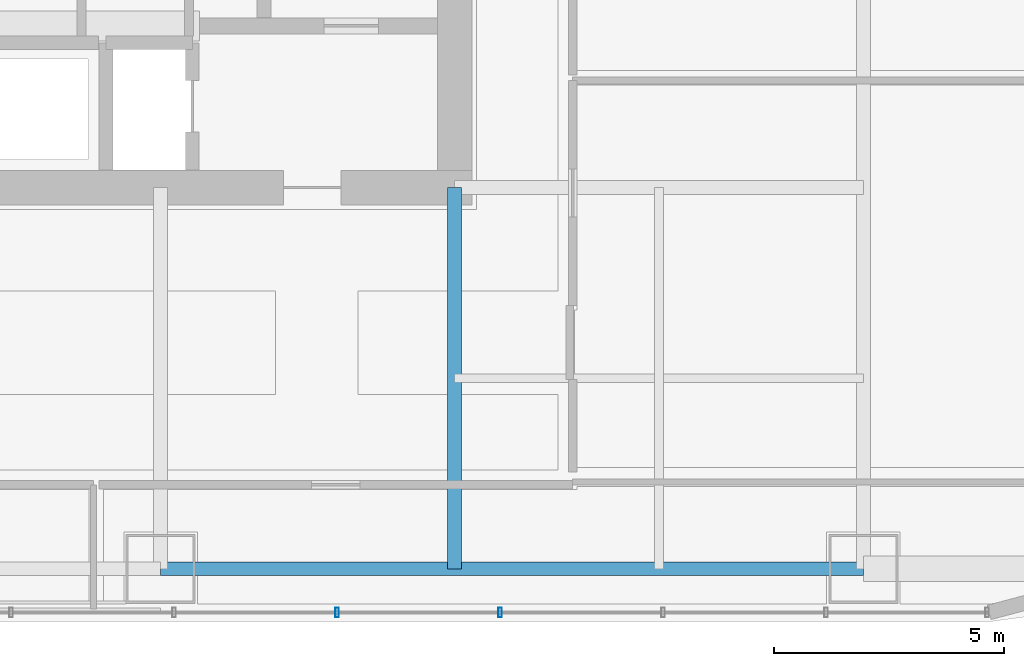
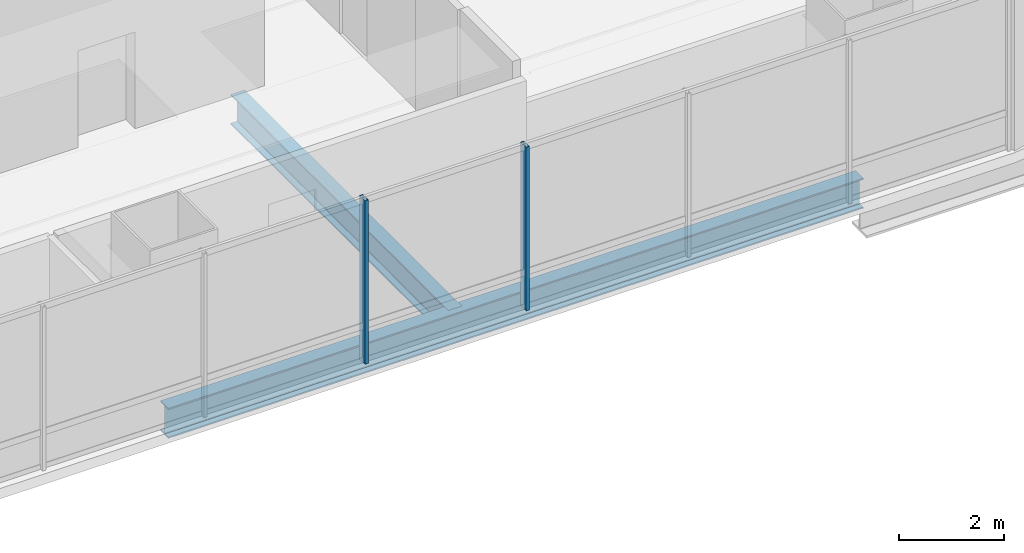
# One storey, part 7 of 35: 2 beams, 2 members, 1 element without a shape of its own.
"""IFC4 building model written with IfcOpenShell, lengths in metres."""

import ifcopenshell
import ifcopenshell.guid

model = None  # the IFC model being written
_history = None  # IfcOwnerHistory: only IFC2X3 demands one
_inside = {}  # id of a spatial element -> (the spatial element, [elements in it])
_under = {}  # id of a project, library or spatial element -> (it, [spatial elements below it])
_declared = {}  # id of a project -> (the project, [libraries it declares])
_typed = {}  # id of a type object -> (the type object, [elements of that type])
_made_of = {}  # id of a material, layer set ... -> (it, [elements and type objects made of it])


def new_model(schema):
    """Start an empty IFC model of exactly this schema.

    Asked for "IFC4X3", IfcOpenShell would pick the latest addendum, in which some entities
    have other attributes; the version numbers below select the first issue.
    IFC2X3 requires an IfcOwnerHistory on every rooted entity: one is made here for all.
    """
    global model, _history
    if schema == "IFC4X3":
        model = ifcopenshell.file(schema_version=(4, 3, 0, 0))
    else:
        model = ifcopenshell.file(schema=schema)
    _inside.clear()
    _under.clear()
    _declared.clear()
    _typed.clear()
    _made_of.clear()
    _history = None
    if model.schema == "IFC2X3":
        org = make("IfcOrganization", Name="unknown")
        user = make(
            "IfcPersonAndOrganization",
            ThePerson=make("IfcPerson", FamilyName="unknown"),
            TheOrganization=org,
        )
        app = make(
            "IfcApplication",
            ApplicationDeveloper=org,
            Version="unknown",
            ApplicationFullName="unknown",
            ApplicationIdentifier="unknown",
        )
        _history = make(
            "IfcOwnerHistory",
            OwningUser=user,
            OwningApplication=app,
            ChangeAction="ADDED",
            CreationDate=0,
        )
    return model


def make(cls, **values):
    """One entity of the class cls with the attributes given. An attribute that is None is left unset."""
    return model.create_entity(
        cls, **{name: value for name, value in values.items() if value is not None}
    )


def rooted(cls, **values):
    """An entity with a GlobalId (a new one), such as an element, a storey or a relation."""
    return make(cls, GlobalId=ifcopenshell.guid.new(), OwnerHistory=_history, **values)


def si_unit(unit_type, name, prefix=None):
    """IfcSIUnit, for example si_unit("LENGTHUNIT", "METRE", prefix="MILLI")."""
    return make("IfcSIUnit", UnitType=unit_type, Prefix=prefix, Name=name)


def assignment(units):
    """IfcUnitAssignment: the units of a project."""
    return None if units is None else make("IfcUnitAssignment", Units=units)


def point(xyz):
    """IfcCartesianPoint."""
    return None if xyz is None else make("IfcCartesianPoint", Coordinates=xyz)


def direction(xyz):
    """IfcDirection."""
    return None if xyz is None else make("IfcDirection", DirectionRatios=xyz)


def frame(location, z_axis=None, x_axis=None):
    """IfcAxis2Placement3D, a coordinate frame: its origin and axes. An axis left out is left unset."""
    return make(
        "IfcAxis2Placement3D",
        Location=point(location),
        Axis=direction(z_axis),
        RefDirection=direction(x_axis),
    )


def frame_2d(location, x_axis=None):
    """IfcAxis2Placement2D, a coordinate frame in the plane: its origin and x axis."""
    return make(
        "IfcAxis2Placement2D", Location=point(location), RefDirection=direction(x_axis)
    )


def origin():
    """The frame at (0, 0, 0) with its axes left unset."""
    return frame((0.0, 0.0, 0.0))


def origin_2d():
    """The frame at (0, 0) in the plane with its x axis left unset."""
    return frame_2d((0.0, 0.0))


def place(relative_to, where):
    """IfcLocalPlacement: puts the frame where relative to a parent placement (None: the world)."""
    return make(
        "IfcLocalPlacement", PlacementRelTo=relative_to, RelativePlacement=where
    )


def context(
    kind, dimensions, precision=None, world=None, true_north=None, identifier=None
):
    """IfcGeometricRepresentationContext, for example the 3D "Model" context."""
    return make(
        "IfcGeometricRepresentationContext",
        ContextIdentifier=identifier,
        ContextType=kind,
        CoordinateSpaceDimension=dimensions,
        Precision=precision,
        WorldCoordinateSystem=world,
        TrueNorth=true_north,
    )


def subcontext(parent, identifier, kind, view, scale=None):
    """IfcGeometricRepresentationSubContext, for example "Body" below "Model"."""
    return make(
        "IfcGeometricRepresentationSubContext",
        ContextIdentifier=identifier,
        ContextType=kind,
        ParentContext=parent,
        TargetScale=scale,
        TargetView=view,
    )


def project(units=None, contexts=None):
    """IfcProject with its units and contexts."""
    return rooted(
        "IfcProject",
        Name="project",
        RepresentationContexts=contexts,
        UnitsInContext=assignment(units),
    )


def spatial(cls, under=None, at=None, **own):
    """A site, building, storey or space (cls), placed at a placement, below another one or the project."""
    s = rooted(cls, ObjectPlacement=at, **own)
    if under is not None:
        _under.setdefault(under.id(), (under, []))[1].append(s)
    return s


def profile(cls, at=None, kind="AREA", **sizes):
    """A parametric profile (cls). Its sizes go by their IFC names, for example OverallWidth=200.0."""
    return make(cls, ProfileType=kind, Position=at, **sizes)


def hollow_rectangle(**sizes):
    """IfcRectangleHollowProfileDef."""
    return profile("IfcRectangleHollowProfileDef", **sizes)


def i_section(**sizes):
    """IfcIShapeProfileDef."""
    return profile("IfcIShapeProfileDef", **sizes)


def extrude(swept, where, along, depth):
    """IfcExtrudedAreaSolid: the profile swept, set in the frame where, extruded along a direction by depth."""
    return make(
        "IfcExtrudedAreaSolid",
        SweptArea=swept,
        Position=where,
        ExtrudedDirection=direction(along),
        Depth=depth,
    )


def shape(context_of_items, identifier, shape_type, items):
    """IfcShapeRepresentation: the items that make up one representation, for example the "Body"."""
    return make(
        "IfcShapeRepresentation",
        ContextOfItems=context_of_items,
        RepresentationIdentifier=identifier,
        RepresentationType=shape_type,
        Items=items,
    )


def material(Name=None, Category=None):
    """IfcMaterial."""
    return make("IfcMaterial", Name=Name, Category=Category)


def material_profile(
    of_material, cross_section, Name=None, Category=None, Priority=None
):
    """IfcMaterialProfile: a cross section and its material."""
    return make(
        "IfcMaterialProfile",
        Name=Name,
        Material=of_material,
        Profile=cross_section,
        Priority=Priority,
        Category=Category,
    )


def profile_set(profiles, Name=None, composite=None):
    """IfcMaterialProfileSet."""
    return make(
        "IfcMaterialProfileSet",
        Name=Name,
        MaterialProfiles=profiles,
        CompositeProfile=composite,
    )


def made_of(thing, what):
    """Note that an element or type object is made of a material, layer set ...; save() writes the relation."""
    if what is not None:
        _made_of.setdefault(what.id(), (what, []))[1].append(thing)
    return thing


def type_object(cls, material=None, **own):
    """A type object (cls), such as IfcWallType, which elements share."""
    return made_of(rooted(cls, **own), material)


def element(
    cls,
    number,
    at=None,
    inside=None,
    cuts=None,
    type_object=None,
    material=None,
    context=None,
    identifier="Body",
    shape_type=None,
    held_by="IfcProductDefinitionShape",
    body=None,
    shapes=None,
    **own,
):
    """One element of the class cls, such as IfcWall. Its Tag is "e" and its number.

    at: its placement. inside: the storey or other place that contains it. cuts: it is an
    opening in that element (IfcRelVoidsElement). A single representation is given by context,
    identifier, shape_type and body (its items); several are given by shapes. held_by: the class
    of the entity that holds the representations. save() writes the other relations.
    """
    e = rooted(cls, Tag="e%d" % number, ObjectPlacement=at, **own)
    if body is not None:
        shapes = [shape(context, identifier, shape_type, body)]
    if shapes is not None:
        e.Representation = make(held_by, Representations=shapes)
    if inside is not None:
        _inside.setdefault(inside.id(), (inside, []))[1].append(e)
    if cuts is not None:
        rooted(
            "IfcRelVoidsElement", RelatingBuildingElement=cuts, RelatedOpeningElement=e
        )
    if type_object is not None:
        _typed.setdefault(type_object.id(), (type_object, []))[1].append(e)
    return made_of(e, material)


def aggregate(whole, parts):
    """IfcRelAggregates: a whole, such as a stair, and the parts it consists of."""
    return rooted("IfcRelAggregates", RelatingObject=whole, RelatedObjects=parts)


def save(model, path):
    """Write the relations noted so far, then the file.

    IfcRelAggregates (storeys below a building ...), IfcRelContainedInSpatialStructure (elements
    in a storey), IfcRelDefinesByType, IfcRelAssociatesMaterial and IfcRelDeclares: one each for
    every whole, place, type object, material and project.
    """
    for whole, parts in _under.values():
        aggregate(whole, parts)
    for where, things in _inside.values():
        rooted(
            "IfcRelContainedInSpatialStructure",
            RelatedElements=things,
            RelatingStructure=where,
        )
    for kind, things in _typed.values():
        rooted("IfcRelDefinesByType", RelatedObjects=things, RelatingType=kind)
    for what, things in _made_of.values():
        rooted("IfcRelAssociatesMaterial", RelatedObjects=things, RelatingMaterial=what)
    for by, libraries in _declared.values():
        rooted("IfcRelDeclares", RelatingContext=by, RelatedDefinitions=libraries)
    model.write(path)


model = new_model("IFC4")

# Units and contexts
model_context = context("Model", 3, precision=1e-05, world=origin(), true_north=direction((0.0, 1.0)))
body_context = subcontext(model_context, "Body", "Model", "MODEL_VIEW")
ifc_project = project(units=[si_unit("LENGTHUNIT", "METRE"), si_unit("AREAUNIT", "SQUARE_METRE"), si_unit("VOLUMEUNIT", "CUBIC_METRE"), si_unit("PLANEANGLEUNIT", "RADIAN"), si_unit("MASSUNIT", "GRAM", prefix="KILO")], contexts=[model_context])

# Site, building, storey
site_placement = place(None, origin())
site = spatial("IfcSite", under=ifc_project, at=site_placement, CompositionType="ELEMENT")
building_placement = place(site_placement, origin())
building = spatial("IfcBuilding", under=site, at=building_placement, Name="Punatoya Terracotta Tower", CompositionType="ELEMENT")
storey_placement = place(building_placement, frame((0.0, 0.0, 113.25)))
storey = spatial("IfcBuildingStorey", under=building, at=storey_placement, Name="L26", CompositionType="ELEMENT", Elevation=113.25)

# Beams
ifc_material_1 = material(Name="Steel S355", Category="steel")
ifc_material_profile_1 = material_profile(ifc_material_1, i_section(OverallWidth=0.300048828125, OverallDepth=0.699951171875, WebThickness=0.01708984375, FlangeThickness=0.031982421875, FilletRadius=0.01806640625, at=origin_2d()))
ifc_profile_set_1 = profile_set([ifc_material_profile_1], Name="Steel S355")
beam_type = type_object("IfcBeamType", Name="BM-PRI-700", PredefinedType="BEAM", material=ifc_profile_set_1)
beam_1_placement = place(storey_placement, frame((3.800048828125, -17.5, -0.590087890625), z_axis=(1.0, 0.0, 0.0), x_axis=(0.0, 1.0, 0.0)))
element("IfcBeam", 1, at=beam_1_placement, inside=storey, type_object=beam_type, Name="BM-L26-RG-S3", PredefinedType="BEAM", context=body_context, shape_type="SweptSolid", body=[
    extrude(i_section(OverallWidth=0.300048828125, OverallDepth=0.699951171875, WebThickness=0.01708984375, FlangeThickness=0.031982421875, FilletRadius=0.01806640625, at=origin_2d()), origin(), (0.0, 0.0, 1.0), 15.300048828125),
])
beam_2_placement = place(storey_placement, frame((10.199951171875, -17.5, -0.590087890625), z_axis=(0.0, 1.0, 0.0), x_axis=(-1.0, 0.0, 0.0)))
element("IfcBeam", 2, at=beam_2_placement, inside=storey, type_object=beam_type, Name="BM-L26-PR-S4", PredefinedType="BEAM", context=body_context, shape_type="SweptSolid", body=[
    extrude(i_section(OverallWidth=0.300048828125, OverallDepth=0.699951171875, WebThickness=0.01708984375, FlangeThickness=0.031982421875, FilletRadius=0.01806640625, at=origin_2d()), origin(), (0.0, 0.0, 1.0), 8.300048828125),
])

# Curtain wall, members
ifc_material_2 = material(Name="Aluminium 6063-T6 + Double Low-E Glass", Category="aluminium")
curtain_wall_type = type_object("IfcCurtainWallType", Name="CW-M1", PredefinedType="NOTDEFINED", material=ifc_material_2)
curtain_wall_placement = place(storey_placement, origin())
curtain_wall = element("IfcCurtainWall", 3, at=curtain_wall_placement, inside=storey, type_object=curtain_wall_type, Name="L26 Curtain Wall CW-L26-S01-1", PredefinedType="NOTDEFINED")
ifc_material_3 = material(Name="Aluminium 6063-T6", Category="aluminium")
ifc_material_profile_2 = material_profile(ifc_material_3, hollow_rectangle(XDim=0.074951171875, YDim=0.2099609375, WallThickness=0.00439453125, at=origin_2d()))
ifc_profile_set_2 = profile_set([ifc_material_profile_2], Name="Aluminium 6063-T6")
member_type = type_object("IfcMemberType", Name="CW-MUL-M1", PredefinedType="MULLION", material=ifc_profile_set_2)
member_1_placement = place(storey_placement, frame((7.64208984375, -18.449951171875, 0.0), z_axis=(0.0, 0.0, 1.0), x_axis=(1.0, 0.0, 0.0)))
member_1 = element("IfcMember", 4, at=member_1_placement, type_object=member_type, Name="CW-L26-S01-1 Mullion 06", PredefinedType="MULLION", context=body_context, shape_type="SweptSolid", body=[
    extrude(hollow_rectangle(XDim=0.074951171875, YDim=0.2099609375, WallThickness=0.00439453125, at=origin_2d()), origin(), (0.0, 0.0, 1.0), 3.81005859375),
])
member_2_placement = place(storey_placement, frame((11.19091796875, -18.449951171875, 0.0), z_axis=(0.0, 0.0, 1.0), x_axis=(1.0, 0.0, 0.0)))
member_2 = element("IfcMember", 5, at=member_2_placement, type_object=member_type, Name="CW-L26-S01-1 Mullion 07", PredefinedType="MULLION", context=body_context, shape_type="SweptSolid", body=[
    extrude(hollow_rectangle(XDim=0.074951171875, YDim=0.2099609375, WallThickness=0.00439453125, at=origin_2d()), origin(), (0.0, 0.0, 1.0), 3.81005859375),
])
aggregate(curtain_wall, [member_1, member_2])

save(model, "model.ifc")
